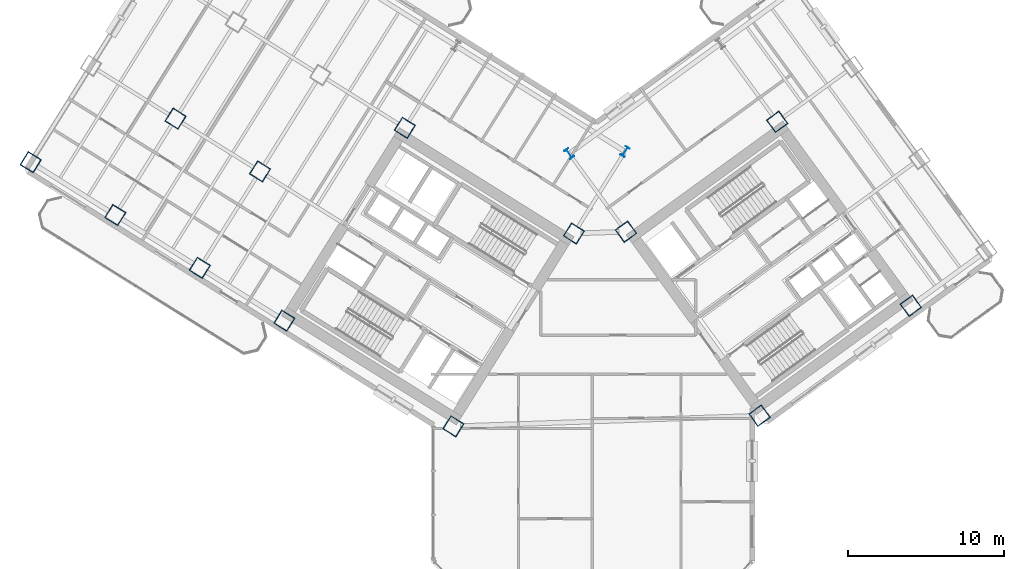
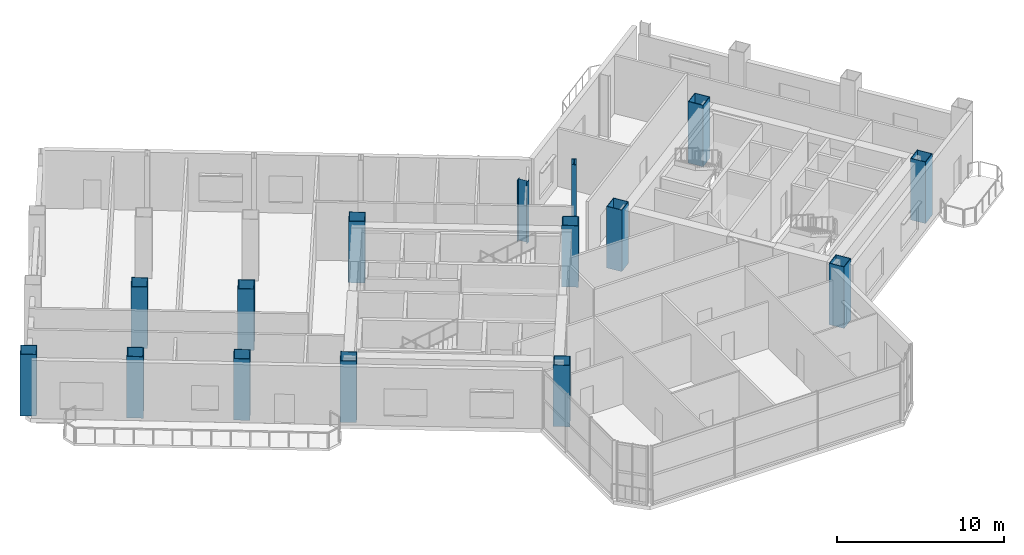
# One storey, part 1 of 19: 15 columns.
"""IFC4 building model written with IfcOpenShell, lengths in metres."""

from ifc_helpers import new_model, si_unit, direction, frame, origin, origin_2d, place, context, subcontext, project, spatial, hollow_rectangle, i_section, extrude, source, transform, mapped, material, material_profile, profile_set, type_object, element, save


model = new_model("IFC4")

# Units and contexts
model_context = context("Model", 3, precision=1e-05, world=origin(), true_north=direction((0.0, 1.0)))
body_context = subcontext(model_context, "Body", "Model", "MODEL_VIEW")
ifc_project = project(units=[si_unit("LENGTHUNIT", "METRE"), si_unit("AREAUNIT", "SQUARE_METRE"), si_unit("VOLUMEUNIT", "CUBIC_METRE"), si_unit("PLANEANGLEUNIT", "RADIAN"), si_unit("MASSUNIT", "GRAM", prefix="KILO")], contexts=[model_context])

# Site, building, storey
site_placement = place(None, origin())
site = spatial("IfcSite", under=ifc_project, at=site_placement, CompositionType="ELEMENT")
building_placement = place(site_placement, origin())
building = spatial("IfcBuilding", under=site, at=building_placement, Name="Tlacorven Tower", CompositionType="ELEMENT")
storey_placement = place(building_placement, frame((0.0, 0.0, 76.5)))
storey = spatial("IfcBuildingStorey", under=building, at=storey_placement, Name="L19", CompositionType="ELEMENT", Elevation=76.5)

# Columns
ifc_material = material(Name="Steel S460M", Category="steel")
ifc_material_profile_1 = material_profile(ifc_material, hollow_rectangle(XDim=1.0, YDim=1.0, WallThickness=0.0400390625, at=origin_2d()), Name="BOX 1000X1000X40")
ifc_profile_set_1 = profile_set([ifc_material_profile_1], Name="Steel S460M")
column_type_1 = type_object("IfcColumnType", Name="COL-TWR-S1", PredefinedType="COLUMN", material=ifc_profile_set_1)
shared_shape_1 = source(origin(), body_context, "Body", "SweptSolid", [
    extrude(hollow_rectangle(XDim=1.0, YDim=1.0, WallThickness=0.0400390625, at=origin_2d()), origin(), (0.0, 0.0, 1.0), 4.5),
])
for number, where, z_axis, x_axis, name in (
    (1, (40.782958984375, 24.468505859375, 0.0), (0.0, 0.0, 1.0), (-0.848048096156, 0.529919264233, 0.0), "L19 column COL-L19-W1-2"),
    (2, (33.046142578125, 12.0869140625, 0.0), (0.0, 0.0, 1.0), (-0.848048096156, 0.529919264233, 0.0), "L19 column COL-L19-W1-4"),
    (3, (29.927978515625, 31.25146484375, 0.0), (0.0, 0.0, 1.0), (-0.848048096156, 0.529919264233, 0.0), "L19 column COL-L19-W3-2"),
    (4, (22.191162109375, 18.869873046875, 0.0), (0.0, 0.0, 1.0), (-0.848048096156, 0.529919264233, 0.0), "L19 column COL-L19-W3-4"),
    (5, (20.632080078125, 28.4521484375, 0.0), (0.0, 0.0, 1.0), (-0.848048096156, 0.529919264233, 0.0), "L19 column COL-L19-W4-3"),
    (6, (16.763671875, 22.26123046875, 0.0), (0.0, 0.0, 1.0), (-0.848048096156, 0.529919264233, 0.0), "L19 column COL-L19-W4-4"),
    (7, (15.20458984375, 31.843505859375, 0.0), (0.0, 0.0, 1.0), (-0.848048096156, 0.529919264233, 0.0), "L19 column COL-L19-W5-3"),
    (8, (11.336181640625, 25.65283203125, 0.0), (0.0, 0.0, 1.0), (-0.848048096156, 0.529919264233, 0.0), "L19 column COL-L19-W5-4"),
    (9, (5.90869140625, 29.044189453125, 0.0), (0.0, 0.0, 1.0), (-0.848048096156, 0.529919264233, 0.0), "L19 column COL-L19-W6-4"),
    (10, (52.705322265625, 12.7734375, 0.0), (0.0, 0.0, 1.0), (0.809016994375, 0.587785252292, 0.0), "L19 column COL-L19-E1-1"),
    (11, (44.123779296875, 24.5849609375, 0.0), (0.0, 0.0, 1.0), (0.809016994375, 0.587785252292, 0.0), "L19 column COL-L19-E1-3"),
    (12, (62.41357421875, 19.826904296875, 0.0), (0.0, 0.0, 1.0), (0.809016994375, 0.587785252292, 0.0), "L19 column COL-L19-E3-1"),
    (13, (53.83203125, 31.638427734375, 0.0), (0.0, 0.0, 1.0), (0.809016994375, 0.587785252292, 0.0), "L19 column COL-L19-E3-3"),
):
    element("IfcColumn", number, at=place(storey_placement, frame(where, z_axis=z_axis, x_axis=x_axis)), inside=storey, type_object=column_type_1, Name=name, PredefinedType="COLUMN", context=body_context, shape_type="MappedRepresentation", body=[
        mapped(shared_shape_1, transform((0.0, 0.0, 0.0), scale=1.0)),
    ])
ifc_material_profile_2 = material_profile(ifc_material, i_section(OverallWidth=0.300048828125, OverallDepth=0.64990234375, WebThickness=0.01611328125, FlangeThickness=0.031005859375, at=origin_2d()), Name="HEB 650")
ifc_profile_set_2 = profile_set([ifc_material_profile_2], Name="Steel S460M")
column_type_2 = type_object("IfcColumnType", Name="COL-TWR-P1", PredefinedType="COLUMN", material=ifc_profile_set_2)
shared_shape_2 = source(origin(), body_context, "Body", "SweptSolid", [
    extrude(i_section(OverallWidth=0.300048828125, OverallDepth=0.64990234375, WebThickness=0.01611328125, FlangeThickness=0.031005859375, at=origin_2d()), origin(), (0.0, 0.0, 1.0), 4.5),
])
for number, where, z_axis, x_axis, name in (
    (14, (44.068359375, 29.726318359375, 0.0), (0.0, 0.0, 1.0), (-0.848048096156, 0.529919264233, 0.0), "L19 column COL-L19-W1-1"),
    (15, (40.4794921875, 29.60107421875, 0.0), (0.0, 0.0, 1.0), (0.809016994375, 0.587785252292, 0.0), "L19 column COL-L19-E1-4"),
):
    element("IfcColumn", number, at=place(storey_placement, frame(where, z_axis=z_axis, x_axis=x_axis)), inside=storey, type_object=column_type_2, Name=name, PredefinedType="COLUMN", context=body_context, shape_type="MappedRepresentation", body=[
        mapped(shared_shape_2, transform((0.0, 0.0, 0.0), scale=1.0)),
    ])

save(model, "model.ifc")
